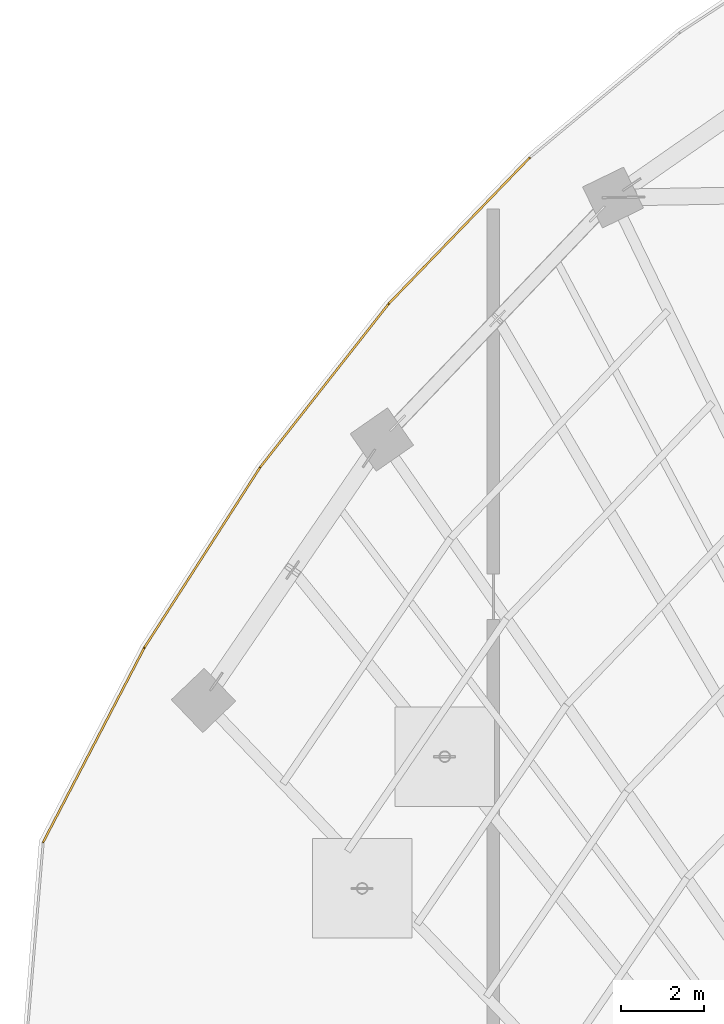
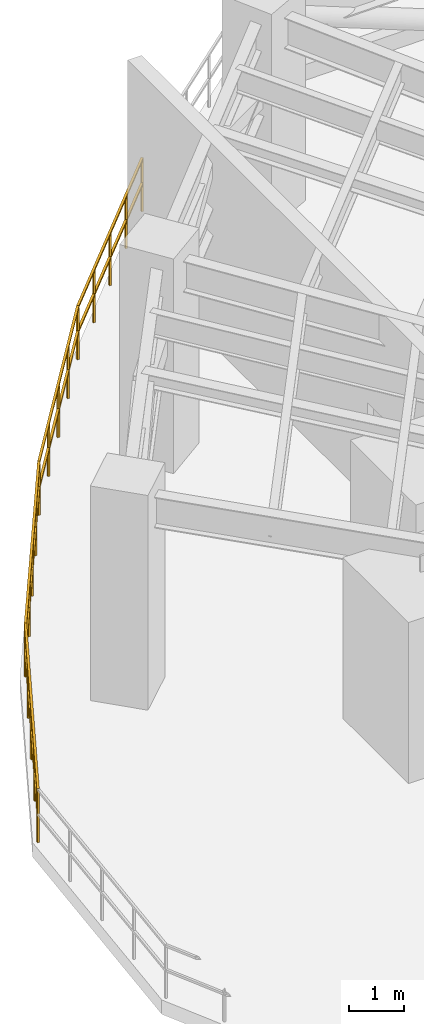
# One storey, part 16 of 24: 4 railings.
"""IFC4 building model written with IfcOpenShell, lengths in metres."""

from ifc_helpers import new_model, si_unit, direction, frame, origin, origin_2d, place, context, subcontext, project, spatial, rectangle, extrude, material, type_object, element, save


model = new_model("IFC4")

# Units and contexts
model_context = context("Model", 3, precision=1e-05, world=origin(), true_north=direction((0.0, 1.0)))
body_context = subcontext(model_context, "Body", "Model", "MODEL_VIEW")
ifc_project = project(units=[si_unit("LENGTHUNIT", "METRE"), si_unit("AREAUNIT", "SQUARE_METRE"), si_unit("VOLUMEUNIT", "CUBIC_METRE"), si_unit("PLANEANGLEUNIT", "RADIAN"), si_unit("MASSUNIT", "GRAM", prefix="KILO")], contexts=[model_context])

# Site, building, storey
site_placement = place(None, origin())
site = spatial("IfcSite", under=ifc_project, at=site_placement, CompositionType="ELEMENT")
building_placement = place(site_placement, origin())
building = spatial("IfcBuilding", under=site, at=building_placement, Name="Breltana Convention Tower", CompositionType="ELEMENT")
storey_placement = place(building_placement, frame((0.0, 0.0, 189.60009765625)))
storey = spatial("IfcBuildingStorey", under=building, at=storey_placement, Name="L46", CompositionType="ELEMENT", Elevation=189.60009765625)

# Railings
ifc_material = material(Name="Stainless Steel 316L", Category="steel")
railing_type = type_object("IfcRailingType", Name="RL-WIND-GUARD-1200", PredefinedType="BALUSTRADE", material=ifc_material)
railing_1_placement = place(storey_placement, frame((12.140869140625, 52.07958984375, 0.0)))
element("IfcRailing", 1, at=railing_1_placement, inside=storey, type_object=railing_type, Name="L46 perimeter balustrade 50", PredefinedType="BALUSTRADE", context=body_context, shape_type="SweptSolid", body=[
    extrude(rectangle(XDim=0.048095703125, YDim=0.048095703125, at=origin_2d()), frame((0.0, 0.0, 1.17578125), z_axis=(0.461753680918, 0.887008195091, 0.0), x_axis=(-0.887008195091, 0.461753680918, 0.0)), (0.0, 0.0, 1.0), 5.291015625),
    extrude(rectangle(XDim=0.048095703125, YDim=0.048095703125, at=origin_2d()), frame((0.0, 0.0, 0.6240234375), z_axis=(0.461753680918, 0.887008195091, 0.0), x_axis=(-0.887008195091, 0.461753680918, 0.0)), (0.0, 0.0, 1.0), 5.291015625),
    extrude(rectangle(XDim=0.0419921875, YDim=0.0419921875, at=origin_2d()), origin(), (0.0, 0.0, 1.0), 1.15185546875),
    extrude(rectangle(XDim=0.0419921875, YDim=0.0419921875, at=origin_2d()), frame((0.61083984375, 1.17333984375, 0.0)), (0.0, 0.0, 1.0), 1.15185546875),
    extrude(rectangle(XDim=0.0419921875, YDim=0.0419921875, at=origin_2d()), frame((1.2216796875, 2.3466796875, 0.0)), (0.0, 0.0, 1.0), 1.15185546875),
    extrude(rectangle(XDim=0.0419921875, YDim=0.0419921875, at=origin_2d()), frame((1.832275390625, 3.519775390625, 0.0)), (0.0, 0.0, 1.0), 1.15185546875),
    extrude(rectangle(XDim=0.0419921875, YDim=0.0419921875, at=origin_2d()), frame((2.443115234375, 4.693115234375, 0.0)), (0.0, 0.0, 1.0), 1.15185546875),
])
railing_2_placement = place(storey_placement, frame((14.583984375, 56.772705078125, 0.0)))
element("IfcRailing", 2, at=railing_2_placement, inside=storey, type_object=railing_type, Name="L46 perimeter balustrade 51", PredefinedType="BALUSTRADE", context=body_context, shape_type="SweptSolid", body=[
    extrude(rectangle(XDim=0.048095703125, YDim=0.048095703125, at=origin_2d()), frame((0.0, 0.0, 1.17578125), z_axis=(0.540198963589, 0.841537331161, 0.0), x_axis=(-0.841537331161, 0.540198963589, 0.0)), (0.0, 0.0, 1.0), 5.169921875),
    extrude(rectangle(XDim=0.048095703125, YDim=0.048095703125, at=origin_2d()), frame((0.0, 0.0, 0.6240234375), z_axis=(0.540198963589, 0.841537331161, 0.0), x_axis=(-0.841537331161, 0.540198963589, 0.0)), (0.0, 0.0, 1.0), 5.169921875),
    extrude(rectangle(XDim=0.0419921875, YDim=0.0419921875, at=origin_2d()), origin(), (0.0, 0.0, 1.0), 1.15185546875),
    extrude(rectangle(XDim=0.0419921875, YDim=0.0419921875, at=origin_2d()), frame((0.6982421875, 1.087646484375, 0.0)), (0.0, 0.0, 1.0), 1.15185546875),
    extrude(rectangle(XDim=0.0419921875, YDim=0.0419921875, at=origin_2d()), frame((1.396484375, 2.17529296875, 0.0)), (0.0, 0.0, 1.0), 1.15185546875),
    extrude(rectangle(XDim=0.0419921875, YDim=0.0419921875, at=origin_2d()), frame((2.094482421875, 3.262939453125, 0.0)), (0.0, 0.0, 1.0), 1.15185546875),
    extrude(rectangle(XDim=0.0419921875, YDim=0.0419921875, at=origin_2d()), frame((2.792724609375, 4.3505859375, 0.0)), (0.0, 0.0, 1.0), 1.15185546875),
])
railing_3_placement = place(storey_placement, frame((17.376708984375, 61.123291015625, 0.0)))
element("IfcRailing", 3, at=railing_3_placement, inside=storey, type_object=railing_type, Name="L46 perimeter balustrade 52", PredefinedType="BALUSTRADE", context=body_context, shape_type="SweptSolid", body=[
    extrude(rectangle(XDim=0.048095703125, YDim=0.048095703125, at=origin_2d()), frame((0.0, 0.0, 1.17578125), z_axis=(0.618143380073, 0.786065367302, 0.0), x_axis=(-0.786065367302, 0.618143380073, 0.0)), (0.0, 0.0, 1.0), 5.024658203125),
    extrude(rectangle(XDim=0.048095703125, YDim=0.048095703125, at=origin_2d()), frame((0.0, 0.0, 0.6240234375), z_axis=(0.618143380073, 0.786065367302, 0.0), x_axis=(-0.786065367302, 0.618143380073, 0.0)), (0.0, 0.0, 1.0), 5.024658203125),
    extrude(rectangle(XDim=0.0419921875, YDim=0.0419921875, at=origin_2d()), origin(), (0.0, 0.0, 1.0), 1.15185546875),
    extrude(rectangle(XDim=0.0419921875, YDim=0.0419921875, at=origin_2d()), frame((0.7763671875, 0.9873046875, 0.0)), (0.0, 0.0, 1.0), 1.15185546875),
    extrude(rectangle(XDim=0.0419921875, YDim=0.0419921875, at=origin_2d()), frame((1.552978515625, 1.974853515625, 0.0)), (0.0, 0.0, 1.0), 1.15185546875),
    extrude(rectangle(XDim=0.0419921875, YDim=0.0419921875, at=origin_2d()), frame((2.32958984375, 2.96240234375, 0.0)), (0.0, 0.0, 1.0), 1.15185546875),
    extrude(rectangle(XDim=0.0419921875, YDim=0.0419921875, at=origin_2d()), frame((3.10595703125, 3.94970703125, 0.0)), (0.0, 0.0, 1.0), 1.15185546875),
])
railing_4_placement = place(storey_placement, frame((20.482666015625, 65.072998046875, 0.0)))
element("IfcRailing", 4, at=railing_4_placement, inside=storey, type_object=railing_type, Name="L46 perimeter balustrade 53", PredefinedType="BALUSTRADE", context=body_context, shape_type="SweptSolid", body=[
    extrude(rectangle(XDim=0.048095703125, YDim=0.048095703125, at=origin_2d()), frame((0.0, 0.0, 1.17578125), z_axis=(0.694607022236, 0.7193893832, 0.0), x_axis=(-0.7193893832, 0.694607022236, 0.0)), (0.0, 0.0, 1.0), 4.87646484375),
    extrude(rectangle(XDim=0.048095703125, YDim=0.048095703125, at=origin_2d()), frame((0.0, 0.0, 0.6240234375), z_axis=(0.694607022236, 0.7193893832, 0.0), x_axis=(-0.7193893832, 0.694607022236, 0.0)), (0.0, 0.0, 1.0), 4.87646484375),
    extrude(rectangle(XDim=0.0419921875, YDim=0.0419921875, at=origin_2d()), origin(), (0.0, 0.0, 1.0), 1.15185546875),
    extrude(rectangle(XDim=0.0419921875, YDim=0.0419921875, at=origin_2d()), frame((0.8466796875, 0.876953125, 0.0)), (0.0, 0.0, 1.0), 1.15185546875),
    extrude(rectangle(XDim=0.0419921875, YDim=0.0419921875, at=origin_2d()), frame((1.693603515625, 1.75390625, 0.0)), (0.0, 0.0, 1.0), 1.15185546875),
    extrude(rectangle(XDim=0.0419921875, YDim=0.0419921875, at=origin_2d()), frame((2.54052734375, 2.631103515625, 0.0)), (0.0, 0.0, 1.0), 1.15185546875),
    extrude(rectangle(XDim=0.0419921875, YDim=0.0419921875, at=origin_2d()), frame((3.38720703125, 3.508056640625, 0.0)), (0.0, 0.0, 1.0), 1.15185546875),
])

save(model, "model.ifc")
